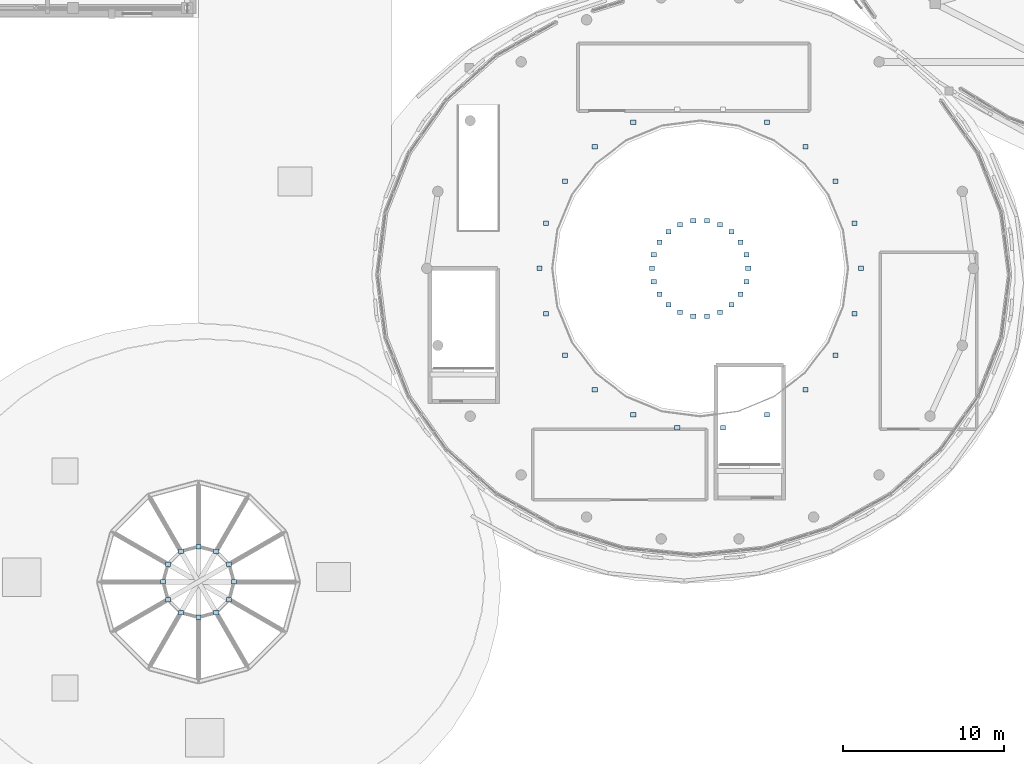
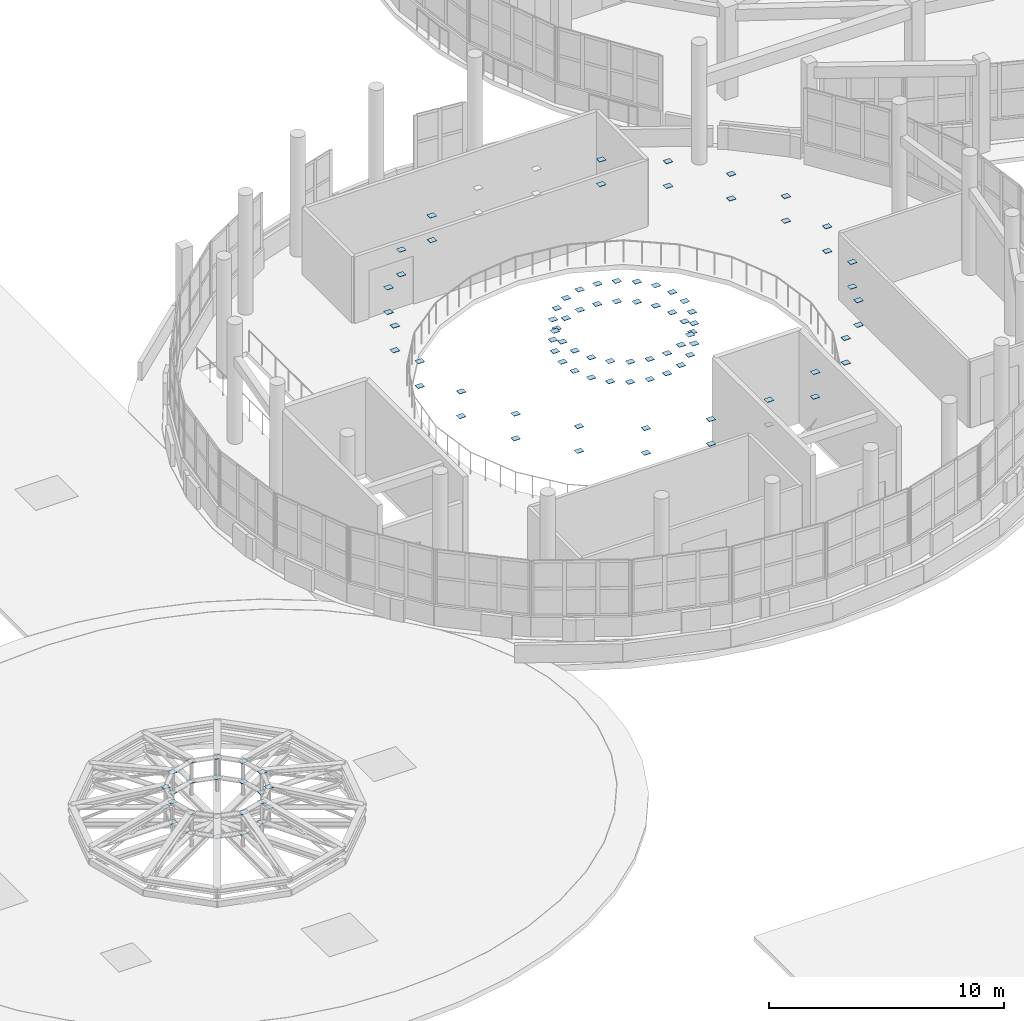
# One storey, part 84 of 105: 108 plates.
"""IFC4 building model written with IfcOpenShell, lengths in metres."""

from ifc_helpers import new_model, si_unit, direction, frame, origin, origin_2d, place, context, subcontext, project, spatial, rectangle, extrude, material, layer, layer_set, type_object, element, save


model = new_model("IFC4")

# Units and contexts
model_context = context("Model", 3, precision=1e-05, world=origin(), true_north=direction((0.0, 1.0)))
body_context = subcontext(model_context, "Body", "Model", "MODEL_VIEW")
ifc_project = project(units=[si_unit("LENGTHUNIT", "METRE"), si_unit("AREAUNIT", "SQUARE_METRE"), si_unit("VOLUMEUNIT", "CUBIC_METRE"), si_unit("PLANEANGLEUNIT", "RADIAN"), si_unit("MASSUNIT", "GRAM", prefix="KILO")], contexts=[model_context])

# Site, building, storey
site_placement = place(None, origin())
site = spatial("IfcSite", under=ifc_project, at=site_placement, CompositionType="ELEMENT")
building_placement = place(site_placement, origin())
building = spatial("IfcBuilding", under=site, at=building_placement, Name="Pelvatis Terrace Science Centre", CompositionType="ELEMENT")
storey_placement = place(building_placement, frame((0.0, 0.0, 10.199951171875)))
storey = spatial("IfcBuildingStorey", under=building, at=storey_placement, Name="L02", CompositionType="ELEMENT", Elevation=10.199951171875)

# Plates
ifc_material = material(Name="Structural steel S355", Category="steel")
ifc_layer = layer(ifc_material, 0.01611328125)
ifc_layer_set = layer_set([ifc_layer], Name="Structural steel S355")
plate_type = type_object("IfcPlateType", Name="PLT-GUS-320x280x16", PredefinedType="USERDEFINED", material=ifc_layer_set)
for number, where, z_axis, x_axis, name in (
    (1, (81.0, 54.60009765625, 2.2919921875), (0.0, 0.0, 1.0), (1.0, 0.0, 0.0), "Brace and strut end connection gusset plate 023"),
    (2, (81.0, 54.60009765625, 3.342041015625), (0.0, 0.0, 1.0), (1.0, 0.0, 0.0), "Brace and strut end connection gusset plate 024"),
    (3, (88.0, 54.60009765625, 3.491943359375), (0.0, 0.0, 1.0), (1.0, 0.0, 0.0), "Brace and strut end connection gusset plate 026"),
    (4, (88.0, 54.60009765625, 4.77197265625), (0.0, 0.0, 1.0), (1.0, 0.0, 0.0), "Brace and strut end connection gusset plate 027"),
    (5, (80.87841796875, 55.4453125, 2.2919921875), (0.0, 0.0, 1.0), (1.0, 0.0, 0.0), "Brace and strut end connection gusset plate 028"),
    (6, (80.87841796875, 55.4453125, 3.342041015625), (0.0, 0.0, 1.0), (1.0, 0.0, 0.0), "Brace and strut end connection gusset plate 029"),
    (7, (87.594970703125, 57.417236328125, 3.491943359375), (0.0, 0.0, 1.0), (1.0, 0.0, 0.0), "Brace and strut end connection gusset plate 031"),
    (8, (87.594970703125, 57.417236328125, 4.77197265625), (0.0, 0.0, 1.0), (1.0, 0.0, 0.0), "Brace and strut end connection gusset plate 032"),
    (9, (80.523681640625, 56.221923828125, 2.2919921875), (0.0, 0.0, 1.0), (1.0, 0.0, 0.0), "Brace and strut end connection gusset plate 033"),
    (10, (80.523681640625, 56.221923828125, 3.342041015625), (0.0, 0.0, 1.0), (1.0, 0.0, 0.0), "Brace and strut end connection gusset plate 034"),
    (11, (86.41259765625, 60.00634765625, 3.491943359375), (0.0, 0.0, 1.0), (1.0, 0.0, 0.0), "Brace and strut end connection gusset plate 036"),
    (12, (86.41259765625, 60.00634765625, 4.77197265625), (0.0, 0.0, 1.0), (1.0, 0.0, 0.0), "Brace and strut end connection gusset plate 037"),
    (13, (79.964599609375, 56.8671875, 2.2919921875), (0.0, 0.0, 1.0), (1.0, 0.0, 0.0), "Brace and strut end connection gusset plate 038"),
    (14, (79.964599609375, 56.8671875, 3.342041015625), (0.0, 0.0, 1.0), (1.0, 0.0, 0.0), "Brace and strut end connection gusset plate 039"),
    (15, (84.548583984375, 62.157470703125, 3.491943359375), (0.0, 0.0, 1.0), (1.0, 0.0, 0.0), "Brace and strut end connection gusset plate 041"),
    (16, (84.548583984375, 62.157470703125, 4.77197265625), (0.0, 0.0, 1.0), (1.0, 0.0, 0.0), "Brace and strut end connection gusset plate 042"),
    (17, (79.24609375, 57.328857421875, 2.2919921875), (0.0, 0.0, 1.0), (1.0, 0.0, 0.0), "Brace and strut end connection gusset plate 043"),
    (18, (79.24609375, 57.328857421875, 3.342041015625), (0.0, 0.0, 1.0), (1.0, 0.0, 0.0), "Brace and strut end connection gusset plate 044"),
    (19, (82.154296875, 63.6962890625, 3.491943359375), (0.0, 0.0, 1.0), (1.0, 0.0, 0.0), "Brace and strut end connection gusset plate 046"),
    (20, (82.154296875, 63.6962890625, 4.77197265625), (0.0, 0.0, 1.0), (1.0, 0.0, 0.0), "Brace and strut end connection gusset plate 047"),
    (21, (78.427001953125, 57.569580078125, 2.2919921875), (0.0, 0.0, 1.0), (1.0, 0.0, 0.0), "Brace and strut end connection gusset plate 048"),
    (22, (78.427001953125, 57.569580078125, 3.342041015625), (0.0, 0.0, 1.0), (1.0, 0.0, 0.0), "Brace and strut end connection gusset plate 049"),
    (23, (77.572998046875, 57.569580078125, 2.2919921875), (0.0, 0.0, 1.0), (1.0, 0.0, 0.0), "Brace and strut end connection gusset plate 053"),
    (24, (77.572998046875, 57.569580078125, 3.342041015625), (0.0, 0.0, 1.0), (1.0, 0.0, 0.0), "Brace and strut end connection gusset plate 054"),
    (25, (76.75390625, 57.328857421875, 2.2919921875), (0.0, 0.0, 1.0), (1.0, 0.0, 0.0), "Brace and strut end connection gusset plate 058"),
    (26, (76.75390625, 57.328857421875, 3.342041015625), (0.0, 0.0, 1.0), (1.0, 0.0, 0.0), "Brace and strut end connection gusset plate 059"),
    (27, (73.845703125, 63.6962890625, 3.491943359375), (0.0, 0.0, 1.0), (1.0, 0.0, 0.0), "Brace and strut end connection gusset plate 061"),
    (28, (73.845703125, 63.6962890625, 4.77197265625), (0.0, 0.0, 1.0), (1.0, 0.0, 0.0), "Brace and strut end connection gusset plate 062"),
    (29, (76.035400390625, 56.8671875, 2.2919921875), (0.0, 0.0, 1.0), (1.0, 0.0, 0.0), "Brace and strut end connection gusset plate 063"),
    (30, (76.035400390625, 56.8671875, 3.342041015625), (0.0, 0.0, 1.0), (1.0, 0.0, 0.0), "Brace and strut end connection gusset plate 064"),
    (31, (71.451416015625, 62.157470703125, 3.491943359375), (0.0, 0.0, 1.0), (1.0, 0.0, 0.0), "Brace and strut end connection gusset plate 066"),
    (32, (71.451416015625, 62.157470703125, 4.77197265625), (0.0, 0.0, 1.0), (1.0, 0.0, 0.0), "Brace and strut end connection gusset plate 067"),
    (33, (75.476318359375, 56.221923828125, 2.2919921875), (0.0, 0.0, 1.0), (1.0, 0.0, 0.0), "Brace and strut end connection gusset plate 068"),
    (34, (75.476318359375, 56.221923828125, 3.342041015625), (0.0, 0.0, 1.0), (1.0, 0.0, 0.0), "Brace and strut end connection gusset plate 069"),
    (35, (69.58740234375, 60.00634765625, 3.491943359375), (0.0, 0.0, 1.0), (1.0, 0.0, 0.0), "Brace and strut end connection gusset plate 071"),
    (36, (69.58740234375, 60.00634765625, 4.77197265625), (0.0, 0.0, 1.0), (1.0, 0.0, 0.0), "Brace and strut end connection gusset plate 072"),
    (37, (75.12158203125, 55.4453125, 2.2919921875), (0.0, 0.0, 1.0), (1.0, 0.0, 0.0), "Brace and strut end connection gusset plate 073"),
    (38, (75.12158203125, 55.4453125, 3.342041015625), (0.0, 0.0, 1.0), (1.0, 0.0, 0.0), "Brace and strut end connection gusset plate 074"),
    (39, (68.405029296875, 57.417236328125, 3.491943359375), (0.0, 0.0, 1.0), (1.0, 0.0, 0.0), "Brace and strut end connection gusset plate 076"),
    (40, (68.405029296875, 57.417236328125, 4.77197265625), (0.0, 0.0, 1.0), (1.0, 0.0, 0.0), "Brace and strut end connection gusset plate 077"),
    (41, (75.0, 54.60009765625, 2.2919921875), (0.0, 0.0, 1.0), (1.0, 0.0, 0.0), "Brace and strut end connection gusset plate 078"),
    (42, (75.0, 54.60009765625, 3.342041015625), (0.0, 0.0, 1.0), (1.0, 0.0, 0.0), "Brace and strut end connection gusset plate 079"),
    (43, (68.0, 54.60009765625, 3.491943359375), (0.0, 0.0, 1.0), (1.0, 0.0, 0.0), "Brace and strut end connection gusset plate 081"),
    (44, (68.0, 54.60009765625, 4.77197265625), (0.0, 0.0, 1.0), (1.0, 0.0, 0.0), "Brace and strut end connection gusset plate 082"),
    (45, (75.12158203125, 53.7548828125, 2.2919921875), (0.0, 0.0, 1.0), (1.0, 0.0, 0.0), "Brace and strut end connection gusset plate 083"),
    (46, (75.12158203125, 53.7548828125, 3.342041015625), (0.0, 0.0, 1.0), (1.0, 0.0, 0.0), "Brace and strut end connection gusset plate 084"),
    (47, (68.405029296875, 51.78271484375, 3.491943359375), (0.0, 0.0, 1.0), (1.0, 0.0, 0.0), "Brace and strut end connection gusset plate 086"),
    (48, (68.405029296875, 51.78271484375, 4.77197265625), (0.0, 0.0, 1.0), (1.0, 0.0, 0.0), "Brace and strut end connection gusset plate 087"),
    (49, (75.476318359375, 52.97802734375, 2.2919921875), (0.0, 0.0, 1.0), (1.0, 0.0, 0.0), "Brace and strut end connection gusset plate 088"),
    (50, (75.476318359375, 52.97802734375, 3.342041015625), (0.0, 0.0, 1.0), (1.0, 0.0, 0.0), "Brace and strut end connection gusset plate 089"),
    (51, (69.58740234375, 49.193603515625, 3.491943359375), (0.0, 0.0, 1.0), (1.0, 0.0, 0.0), "Brace and strut end connection gusset plate 091"),
    (52, (69.58740234375, 49.193603515625, 4.77197265625), (0.0, 0.0, 1.0), (1.0, 0.0, 0.0), "Brace and strut end connection gusset plate 092"),
    (53, (76.035400390625, 52.332763671875, 2.2919921875), (0.0, 0.0, 1.0), (1.0, 0.0, 0.0), "Brace and strut end connection gusset plate 093"),
    (54, (76.035400390625, 52.332763671875, 3.342041015625), (0.0, 0.0, 1.0), (1.0, 0.0, 0.0), "Brace and strut end connection gusset plate 094"),
    (55, (71.451416015625, 47.04248046875, 3.491943359375), (0.0, 0.0, 1.0), (1.0, 0.0, 0.0), "Brace and strut end connection gusset plate 096"),
    (56, (71.451416015625, 47.04248046875, 4.77197265625), (0.0, 0.0, 1.0), (1.0, 0.0, 0.0), "Brace and strut end connection gusset plate 097"),
    (57, (76.75390625, 51.87109375, 2.2919921875), (0.0, 0.0, 1.0), (1.0, 0.0, 0.0), "Brace and strut end connection gusset plate 098"),
    (58, (76.75390625, 51.87109375, 3.342041015625), (0.0, 0.0, 1.0), (1.0, 0.0, 0.0), "Brace and strut end connection gusset plate 099"),
    (59, (73.845703125, 45.503662109375, 3.491943359375), (0.0, 0.0, 1.0), (1.0, 0.0, 0.0), "Brace and strut end connection gusset plate 101"),
    (60, (73.845703125, 45.503662109375, 4.77197265625), (0.0, 0.0, 1.0), (1.0, 0.0, 0.0), "Brace and strut end connection gusset plate 102"),
    (61, (77.572998046875, 51.630615234375, 2.2919921875), (0.0, 0.0, 1.0), (1.0, 0.0, 0.0), "Brace and strut end connection gusset plate 103"),
    (62, (77.572998046875, 51.630615234375, 3.342041015625), (0.0, 0.0, 1.0), (1.0, 0.0, 0.0), "Brace and strut end connection gusset plate 104"),
    (63, (76.576904296875, 44.701904296875, 3.491943359375), (0.0, 0.0, 1.0), (1.0, 0.0, 0.0), "Brace and strut end connection gusset plate 106"),
    (64, (76.576904296875, 44.701904296875, 4.77197265625), (0.0, 0.0, 1.0), (1.0, 0.0, 0.0), "Brace and strut end connection gusset plate 107"),
    (65, (78.427001953125, 51.630615234375, 2.2919921875), (0.0, 0.0, 1.0), (1.0, 0.0, 0.0), "Brace and strut end connection gusset plate 108"),
    (66, (78.427001953125, 51.630615234375, 3.342041015625), (0.0, 0.0, 1.0), (1.0, 0.0, 0.0), "Brace and strut end connection gusset plate 109"),
    (67, (79.423095703125, 44.701904296875, 3.491943359375), (0.0, 0.0, 1.0), (1.0, 0.0, 0.0), "Brace and strut end connection gusset plate 111"),
    (68, (79.423095703125, 44.701904296875, 4.77197265625), (0.0, 0.0, 1.0), (1.0, 0.0, 0.0), "Brace and strut end connection gusset plate 112"),
    (69, (79.24609375, 51.87109375, 2.2919921875), (0.0, 0.0, 1.0), (1.0, 0.0, 0.0), "Brace and strut end connection gusset plate 113"),
    (70, (79.24609375, 51.87109375, 3.342041015625), (0.0, 0.0, 1.0), (1.0, 0.0, 0.0), "Brace and strut end connection gusset plate 114"),
    (71, (82.154296875, 45.503662109375, 3.491943359375), (0.0, 0.0, 1.0), (1.0, 0.0, 0.0), "Brace and strut end connection gusset plate 116"),
    (72, (82.154296875, 45.503662109375, 4.77197265625), (0.0, 0.0, 1.0), (1.0, 0.0, 0.0), "Brace and strut end connection gusset plate 117"),
    (73, (79.964599609375, 52.332763671875, 2.2919921875), (0.0, 0.0, 1.0), (1.0, 0.0, 0.0), "Brace and strut end connection gusset plate 118"),
    (74, (79.964599609375, 52.332763671875, 3.342041015625), (0.0, 0.0, 1.0), (1.0, 0.0, 0.0), "Brace and strut end connection gusset plate 119"),
    (75, (84.548583984375, 47.04248046875, 3.491943359375), (0.0, 0.0, 1.0), (1.0, 0.0, 0.0), "Brace and strut end connection gusset plate 121"),
    (76, (84.548583984375, 47.04248046875, 4.77197265625), (0.0, 0.0, 1.0), (1.0, 0.0, 0.0), "Brace and strut end connection gusset plate 122"),
    (77, (80.523681640625, 52.97802734375, 2.2919921875), (0.0, 0.0, 1.0), (1.0, 0.0, 0.0), "Brace and strut end connection gusset plate 123"),
    (78, (80.523681640625, 52.97802734375, 3.342041015625), (0.0, 0.0, 1.0), (1.0, 0.0, 0.0), "Brace and strut end connection gusset plate 124"),
    (79, (86.41259765625, 49.193603515625, 3.491943359375), (0.0, 0.0, 1.0), (1.0, 0.0, 0.0), "Brace and strut end connection gusset plate 126"),
    (80, (86.41259765625, 49.193603515625, 4.77197265625), (0.0, 0.0, 1.0), (1.0, 0.0, 0.0), "Brace and strut end connection gusset plate 127"),
    (81, (80.87841796875, 53.7548828125, 2.2919921875), (0.0, 0.0, 1.0), (1.0, 0.0, 0.0), "Brace and strut end connection gusset plate 128"),
    (82, (80.87841796875, 53.7548828125, 3.342041015625), (0.0, 0.0, 1.0), (1.0, 0.0, 0.0), "Brace and strut end connection gusset plate 129"),
    (83, (87.594970703125, 51.78271484375, 3.491943359375), (0.0, 0.0, 1.0), (1.0, 0.0, 0.0), "Brace and strut end connection gusset plate 131"),
    (84, (87.594970703125, 51.78271484375, 4.77197265625), (0.0, 0.0, 1.0), (1.0, 0.0, 0.0), "Brace and strut end connection gusset plate 132"),
    (85, (49.0, 35.10009765625, 1.94189453125), (0.0, 0.0, 1.0), (1.0, 0.0, 0.0), "Brace and strut end connection gusset plate 183"),
    (86, (49.0, 35.10009765625, 0.89208984375), (0.0, 0.0, 1.0), (1.0, 0.0, 0.0), "Brace and strut end connection gusset plate 184"),
    (87, (48.705322265625, 36.199951171875, 1.94189453125), (0.0, 0.0, 1.0), (1.0, 0.0, 0.0), "Brace and strut end connection gusset plate 186"),
    (88, (48.705322265625, 36.199951171875, 0.89208984375), (0.0, 0.0, 1.0), (1.0, 0.0, 0.0), "Brace and strut end connection gusset plate 187"),
    (89, (47.89990234375, 37.00537109375, 1.94189453125), (0.0, 0.0, 1.0), (1.0, 0.0, 0.0), "Brace and strut end connection gusset plate 189"),
    (90, (47.89990234375, 37.00537109375, 0.89208984375), (0.0, 0.0, 1.0), (1.0, 0.0, 0.0), "Brace and strut end connection gusset plate 190"),
    (91, (46.800048828125, 37.300048828125, 1.94189453125), (0.0, 0.0, 1.0), (1.0, 0.0, 0.0), "Brace and strut end connection gusset plate 192"),
    (92, (46.800048828125, 37.300048828125, 0.89208984375), (0.0, 0.0, 1.0), (1.0, 0.0, 0.0), "Brace and strut end connection gusset plate 193"),
    (93, (45.699951171875, 37.00537109375, 1.94189453125), (0.0, 0.0, 1.0), (1.0, 0.0, 0.0), "Brace and strut end connection gusset plate 195"),
    (94, (45.699951171875, 37.00537109375, 0.89208984375), (0.0, 0.0, 1.0), (1.0, 0.0, 0.0), "Brace and strut end connection gusset plate 196"),
    (95, (44.894775390625, 36.199951171875, 1.94189453125), (0.0, 0.0, 1.0), (1.0, 0.0, 0.0), "Brace and strut end connection gusset plate 198"),
    (96, (44.894775390625, 36.199951171875, 0.89208984375), (0.0, 0.0, 1.0), (1.0, 0.0, 0.0), "Brace and strut end connection gusset plate 199"),
    (97, (44.60009765625, 35.10009765625, 1.94189453125), (0.0, 0.0, 1.0), (1.0, 0.0, 0.0), "Brace and strut end connection gusset plate 201"),
    (98, (44.60009765625, 35.10009765625, 0.89208984375), (0.0, 0.0, 1.0), (1.0, 0.0, 0.0), "Brace and strut end connection gusset plate 202"),
    (99, (44.894775390625, 34.0, 1.94189453125), (0.0, 0.0, 1.0), (1.0, 0.0, 0.0), "Brace and strut end connection gusset plate 204"),
    (100, (44.894775390625, 34.0, 0.89208984375), (0.0, 0.0, 1.0), (1.0, 0.0, 0.0), "Brace and strut end connection gusset plate 205"),
    (101, (45.699951171875, 33.194580078125, 1.94189453125), (0.0, 0.0, 1.0), (1.0, 0.0, 0.0), "Brace and strut end connection gusset plate 207"),
    (102, (45.699951171875, 33.194580078125, 0.89208984375), (0.0, 0.0, 1.0), (1.0, 0.0, 0.0), "Brace and strut end connection gusset plate 208"),
    (103, (46.800048828125, 32.89990234375, 1.94189453125), (0.0, 0.0, 1.0), (1.0, 0.0, 0.0), "Brace and strut end connection gusset plate 210"),
    (104, (46.800048828125, 32.89990234375, 0.89208984375), (0.0, 0.0, 1.0), (1.0, 0.0, 0.0), "Brace and strut end connection gusset plate 211"),
    (105, (47.89990234375, 33.194580078125, 1.94189453125), (0.0, 0.0, 1.0), (1.0, 0.0, 0.0), "Brace and strut end connection gusset plate 213"),
    (106, (47.89990234375, 33.194580078125, 0.89208984375), (0.0, 0.0, 1.0), (1.0, 0.0, 0.0), "Brace and strut end connection gusset plate 214"),
    (107, (48.705322265625, 34.0, 1.94189453125), (0.0, 0.0, 1.0), (1.0, 0.0, 0.0), "Brace and strut end connection gusset plate 216"),
    (108, (48.705322265625, 34.0, 0.89208984375), (0.0, 0.0, 1.0), (1.0, 0.0, 0.0), "Brace and strut end connection gusset plate 217"),
):
    element("IfcPlate", number, at=place(storey_placement, frame(where, z_axis=z_axis, x_axis=x_axis)), inside=storey, type_object=plate_type, Name=name, ObjectType="GUSSET", PredefinedType="USERDEFINED", context=body_context, shape_type="SweptSolid", body=[
        extrude(rectangle(XDim=0.320068359375, YDim=0.280029296875, at=origin_2d()), origin(), (0.0, 0.0, 1.0), 0.01611328125),
    ])

save(model, "model.ifc")
